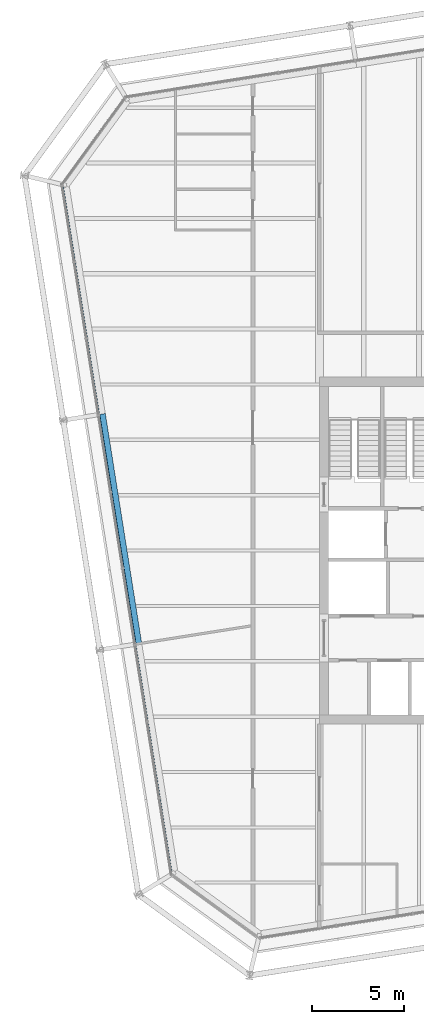
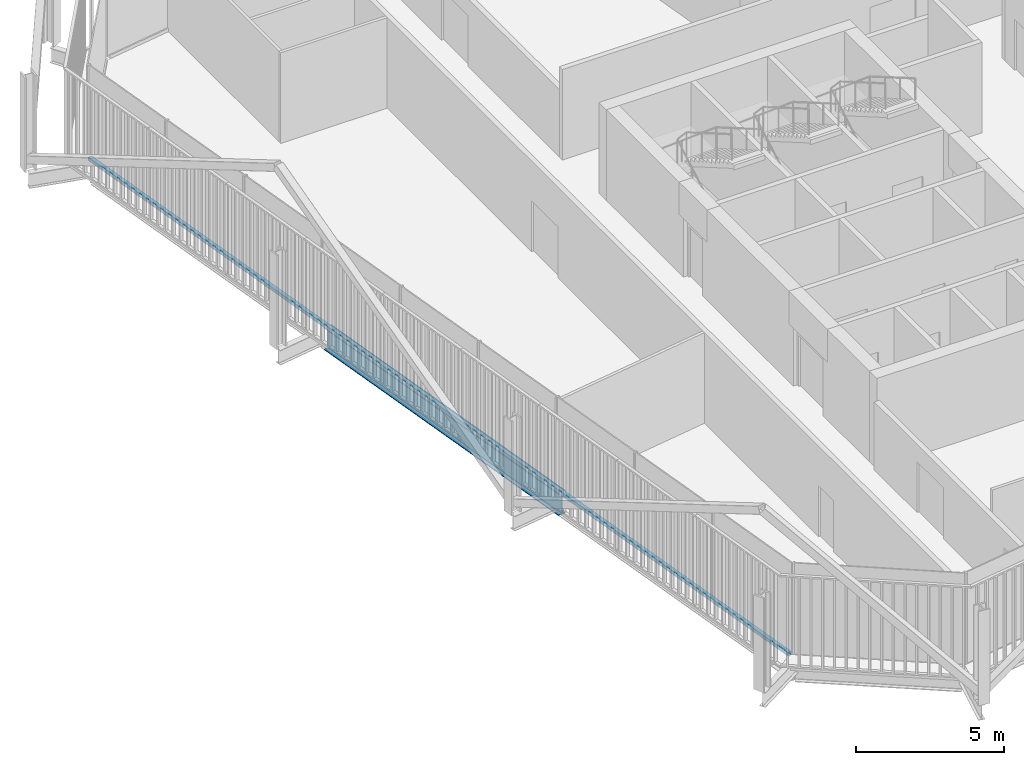
# One storey, part 6 of 21: 1 beam, 1 member, 1 element without a shape of its own.
"""IFC4 building model written with IfcOpenShell, lengths in metres."""

from ifc_helpers import new_model, si_unit, direction, frame, origin, origin_2d, place, context, subcontext, project, spatial, rectangle, i_section, extrude, material, layer, layer_set, material_profile, profile_set, type_object, element, aggregate, save


model = new_model("IFC4")

# Units and contexts
model_context = context("Model", 3, precision=1e-05, world=origin(), true_north=direction((0.0, 1.0)))
body_context = subcontext(model_context, "Body", "Model", "MODEL_VIEW")
ifc_project = project(units=[si_unit("LENGTHUNIT", "METRE"), si_unit("AREAUNIT", "SQUARE_METRE"), si_unit("VOLUMEUNIT", "CUBIC_METRE"), si_unit("PLANEANGLEUNIT", "RADIAN"), si_unit("MASSUNIT", "GRAM", prefix="KILO")], contexts=[model_context])

# Site, building, storey
site_placement = place(None, origin())
site = spatial("IfcSite", under=ifc_project, at=site_placement, CompositionType="ELEMENT")
building_placement = place(site_placement, origin())
building = spatial("IfcBuilding", under=site, at=building_placement, Name="Millrace Tower", CompositionType="ELEMENT")
storey_placement = place(building_placement, frame((0.0, 0.0, 247.39990234375)))
storey = spatial("IfcBuildingStorey", under=building, at=storey_placement, Name="L56", CompositionType="ELEMENT", Elevation=247.39990234375)

# Curtain wall, member
ifc_material_1 = material(Name="Aluminium and glass", Category="aluminium")
ifc_layer = layer(ifc_material_1, 0.14990234375)
ifc_layer_set = layer_set([ifc_layer], Name="Aluminium and glass")
curtain_wall_type = type_object("IfcCurtainWallType", Name="CW-1 office vision curtain wall", PredefinedType="NOTDEFINED", material=ifc_layer_set)
curtain_wall_placement = place(storey_placement, origin())
curtain_wall = element("IfcCurtainWall", 1, at=curtain_wall_placement, inside=storey, type_object=curtain_wall_type, Name="Curtain wall D-F08 L56", PredefinedType="NOTDEFINED")
ifc_material_2 = material(Name="Aluminium", Category="aluminium")
ifc_material_profile_1 = material_profile(ifc_material_2, rectangle(XDim=0.14990234375, YDim=0.139892578125, at=origin_2d()))
ifc_profile_set_1 = profile_set([ifc_material_profile_1], Name="Aluminium")
member_type = type_object("IfcMemberType", Name="CW-1 office vision curtain wall transom", PredefinedType="USERDEFINED", material=ifc_profile_set_1)
member_placement = place(storey_placement, frame((-28.331787109375, 19.708740234375, 0.070068359375), z_axis=(0.156432359726, -0.987688674042, 0.0), x_axis=(0.987688674042, 0.156432359726, 0.0)))
member = element("IfcMember", 2, at=member_placement, type_object=member_type, Name="CW1 transom D-F08.1", ObjectType="TRANSOM", PredefinedType="USERDEFINED", context=body_context, shape_type="SweptSolid", body=[
    extrude(rectangle(XDim=0.14990234375, YDim=0.139892578125, at=origin_2d()), origin(), (0.0, 0.0, 1.0), 37.599853515625),
])
aggregate(curtain_wall, [member])

# Beam
ifc_material_3 = material(Name="Steel ASTM A992 Grade 50", Category="steel")
ifc_material_profile_2 = material_profile(ifc_material_3, i_section(OverallWidth=0.307373046875, OverallDepth=0.927001953125, WebThickness=0.01953125, FlangeThickness=0.031982421875, FilletRadius=0.01904296875, at=origin_2d()))
ifc_profile_set_2 = profile_set([ifc_material_profile_2], Name="Steel ASTM A992 Grade 50")
beam_type = type_object("IfcBeamType", Name="Ring beam medium span W36x194", PredefinedType="SPANDREL", material=ifc_profile_set_2)
beam_placement = place(storey_placement, frame((-24.179443359375, -5.04638671875, -0.62353515625), z_axis=(-0.1564441342, 0.987686809102, 0.0), x_axis=(-0.987686809102, -0.1564441342, 0.0)))
element("IfcBeam", 3, at=beam_placement, inside=storey, type_object=beam_type, Name="RNG-D-L56-S1-02", PredefinedType="SPANDREL", context=body_context, shape_type="SweptSolid", body=[
    extrude(i_section(OverallWidth=0.307373046875, OverallDepth=0.927001953125, WebThickness=0.01953125, FlangeThickness=0.031982421875, FilletRadius=0.01904296875, at=origin_2d()), origin(), (0.0, 0.0, 1.0), 12.599853515625),
])

save(model, "model.ifc")
